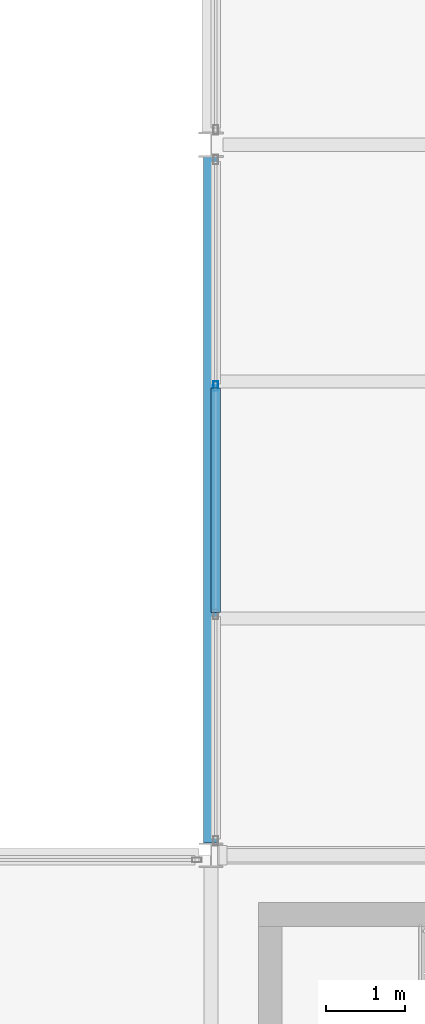
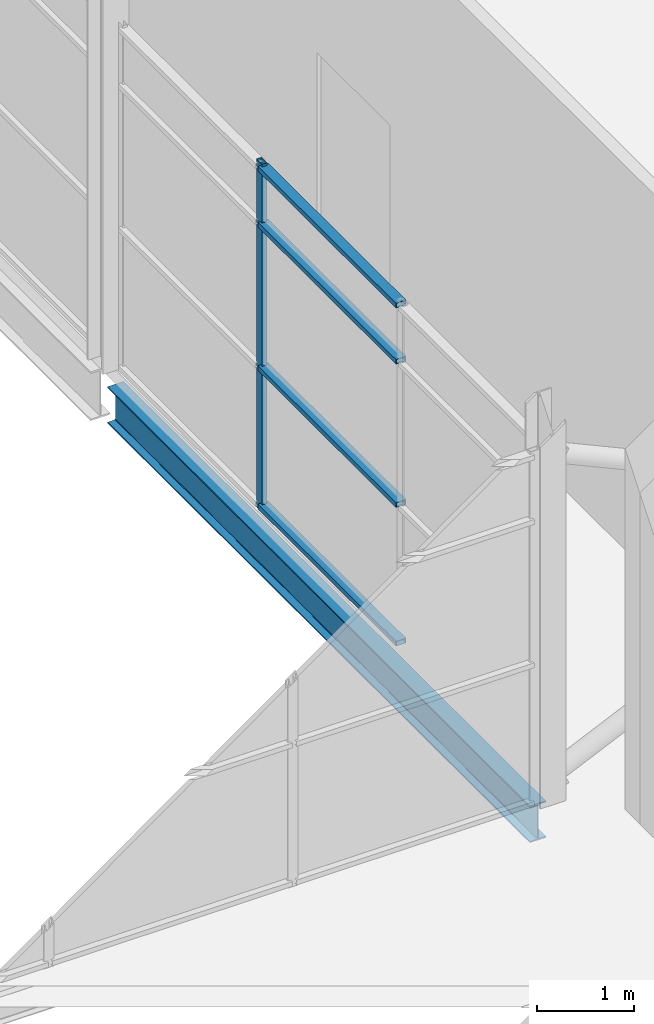
# One storey, part 42 of 94: 5 members, 1 beam, 1 element without a shape of its own.
"""IFC4 building model written with IfcOpenShell, lengths in metres."""

from ifc_helpers import new_model, si_unit, direction, frame, origin, origin_2d, place, context, subcontext, project, spatial, hollow_rectangle, i_section, extrude, material, layer, layer_set, material_profile, profile_set, type_object, element, aggregate, save


model = new_model("IFC4")

# Units and contexts
model_context = context("Model", 3, precision=1e-05, world=origin(), true_north=direction((0.0, 1.0)))
body_context = subcontext(model_context, "Body", "Model", "MODEL_VIEW")
ifc_project = project(units=[si_unit("LENGTHUNIT", "METRE"), si_unit("AREAUNIT", "SQUARE_METRE"), si_unit("VOLUMEUNIT", "CUBIC_METRE"), si_unit("PLANEANGLEUNIT", "RADIAN"), si_unit("MASSUNIT", "GRAM", prefix="KILO")], contexts=[model_context])

# Site, building, storey
site_placement = place(None, origin())
site = spatial("IfcSite", under=ifc_project, at=site_placement, CompositionType="ELEMENT")
building_placement = place(site_placement, origin())
building = spatial("IfcBuilding", under=site, at=building_placement, Name="Shorebreak Coast Museum", CompositionType="ELEMENT")
storey_placement = place(building_placement, frame((0.0, 0.0, 31.0)))
storey = spatial("IfcBuildingStorey", under=building, at=storey_placement, Name="L05", CompositionType="ELEMENT", Elevation=31.0)

# Beam
ifc_material_1 = material(Name="Steel Grade 300", Category="steel")
ifc_material_profile_1 = material_profile(ifc_material_1, i_section(OverallWidth=0.19091796875, OverallDepth=0.46044921875, WebThickness=0.010009765625, FlangeThickness=0.01611328125, FilletRadius=0.011474609375, at=origin_2d()), Name="460UB82.1")
ifc_profile_set_1 = profile_set([ifc_material_profile_1], Name="Steel Grade 300")
beam_type = type_object("IfcBeamType", Name="Floor girder north-south 460UB82.1", PredefinedType="BEAM", material=ifc_profile_set_1)
beam_placement = place(storey_placement, frame((108.0, 63.1572265625, -0.4052734375), z_axis=(0.0, 1.0, 0.0), x_axis=(-1.0, 0.0, 0.0)))
element("IfcBeam", 1, at=beam_placement, inside=storey, type_object=beam_type, Name="Floor girder north-south L05 13H", PredefinedType="BEAM", context=body_context, shape_type="SweptSolid", body=[
    extrude(i_section(OverallWidth=0.19091796875, OverallDepth=0.46044921875, WebThickness=0.010009765625, FlangeThickness=0.01611328125, FilletRadius=0.011474609375, at=origin_2d()), origin(), (0.0, 0.0, 1.0), 8.685546875),
])

# Curtain wall, members
ifc_material_2 = material(Name="Aluminium", Category="aluminium")
ifc_layer = layer(ifc_material_2, 0.1201171875)
ifc_layer_set = layer_set([ifc_layer], Name="Aluminium")
curtain_wall_type = type_object("IfcCurtainWallType", Name="Atrium fire screen", PredefinedType="NOTDEFINED", material=ifc_layer_set)
curtain_wall_placement = place(storey_placement, origin())
curtain_wall = element("IfcCurtainWall", 2, at=curtain_wall_placement, inside=storey, type_object=curtain_wall_type, Name="Atrium screen L05 E 76", PredefinedType="NOTDEFINED")
ifc_material_3 = material(Name="Aluminium", Category="aluminium")
ifc_material_profile_2 = material_profile(ifc_material_3, hollow_rectangle(XDim=0.06005859375, YDim=0.1201171875, WallThickness=0.00341796875, at=origin_2d()), Name="AL 120x60 RHS")
ifc_profile_set_2 = profile_set([ifc_material_profile_2], Name="Aluminium")
member_type_1 = type_object("IfcMemberType", Name="Screen mullion 50 x 120", PredefinedType="MULLION", material=ifc_profile_set_2)
member_1_placement = place(storey_placement, frame((108.06005859375, 68.943359375, 0.0), z_axis=(0.0, 0.0, 1.0), x_axis=(-1.0, 0.0, 0.0)))
member_1 = element("IfcMember", 3, at=member_1_placement, type_object=member_type_1, Name="CW5 mullion 3", PredefinedType="MULLION", context=body_context, shape_type="SweptSolid", body=[
    extrude(hollow_rectangle(XDim=0.06005859375, YDim=0.1201171875, WallThickness=0.00341796875, at=origin_2d()), origin(), (0.0, 0.0, 1.0), 4.364501953125),
])
ifc_material_4 = material(Name="Aluminium", Category="aluminium")
ifc_material_profile_3 = material_profile(ifc_material_4, hollow_rectangle(XDim=0.1201171875, YDim=0.06005859375, WallThickness=0.00341796875, at=origin_2d()), Name="AL 60x120 RHS")
ifc_profile_set_3 = profile_set([ifc_material_profile_3], Name="Aluminium")
member_type_2 = type_object("IfcMemberType", Name="Screen transom 120 x 50", PredefinedType="USERDEFINED", material=ifc_profile_set_3)
member_2_placement = place(storey_placement, frame((108.06005859375, 66.075439453125, 0.06005859375), z_axis=(0.0, 1.0, 0.0), x_axis=(-1.0, 0.0, 0.0)))
member_2 = element("IfcMember", 4, at=member_2_placement, type_object=member_type_2, Name="CW5 transom 2.1", ObjectType="TRANSOM", PredefinedType="USERDEFINED", context=body_context, shape_type="SweptSolid", body=[
    extrude(hollow_rectangle(XDim=0.1201171875, YDim=0.06005859375, WallThickness=0.00341796875, at=origin_2d()), origin(), (0.0, 0.0, 1.0), 2.843017578125),
])
member_3_placement = place(storey_placement, frame((108.06005859375, 66.075439453125, 1.800048828125), z_axis=(0.0, 1.0, 0.0), x_axis=(-1.0, 0.0, 0.0)))
member_3 = element("IfcMember", 5, at=member_3_placement, type_object=member_type_2, Name="CW5 transom 2.2", ObjectType="TRANSOM", PredefinedType="USERDEFINED", context=body_context, shape_type="SweptSolid", body=[
    extrude(hollow_rectangle(XDim=0.1201171875, YDim=0.06005859375, WallThickness=0.00341796875, at=origin_2d()), origin(), (0.0, 0.0, 1.0), 2.843017578125),
])
member_4_placement = place(storey_placement, frame((108.06005859375, 66.075439453125, 3.60009765625), z_axis=(0.0, 1.0, 0.0), x_axis=(-1.0, 0.0, 0.0)))
member_4 = element("IfcMember", 6, at=member_4_placement, type_object=member_type_2, Name="CW5 transom 2.3", ObjectType="TRANSOM", PredefinedType="USERDEFINED", context=body_context, shape_type="SweptSolid", body=[
    extrude(hollow_rectangle(XDim=0.1201171875, YDim=0.06005859375, WallThickness=0.00341796875, at=origin_2d()), origin(), (0.0, 0.0, 1.0), 2.843017578125),
])
member_5_placement = place(storey_placement, frame((108.06005859375, 66.075439453125, 4.3046875), z_axis=(0.0, 1.0, 0.0), x_axis=(-1.0, 0.0, 0.0)))
member_5 = element("IfcMember", 7, at=member_5_placement, type_object=member_type_2, Name="CW5 transom 2.4", ObjectType="TRANSOM", PredefinedType="USERDEFINED", context=body_context, shape_type="SweptSolid", body=[
    extrude(hollow_rectangle(XDim=0.1201171875, YDim=0.06005859375, WallThickness=0.00341796875, at=origin_2d()), origin(), (0.0, 0.0, 1.0), 2.843017578125),
])
aggregate(curtain_wall, [member_1, member_2, member_3, member_4, member_5])

save(model, "model.ifc")
